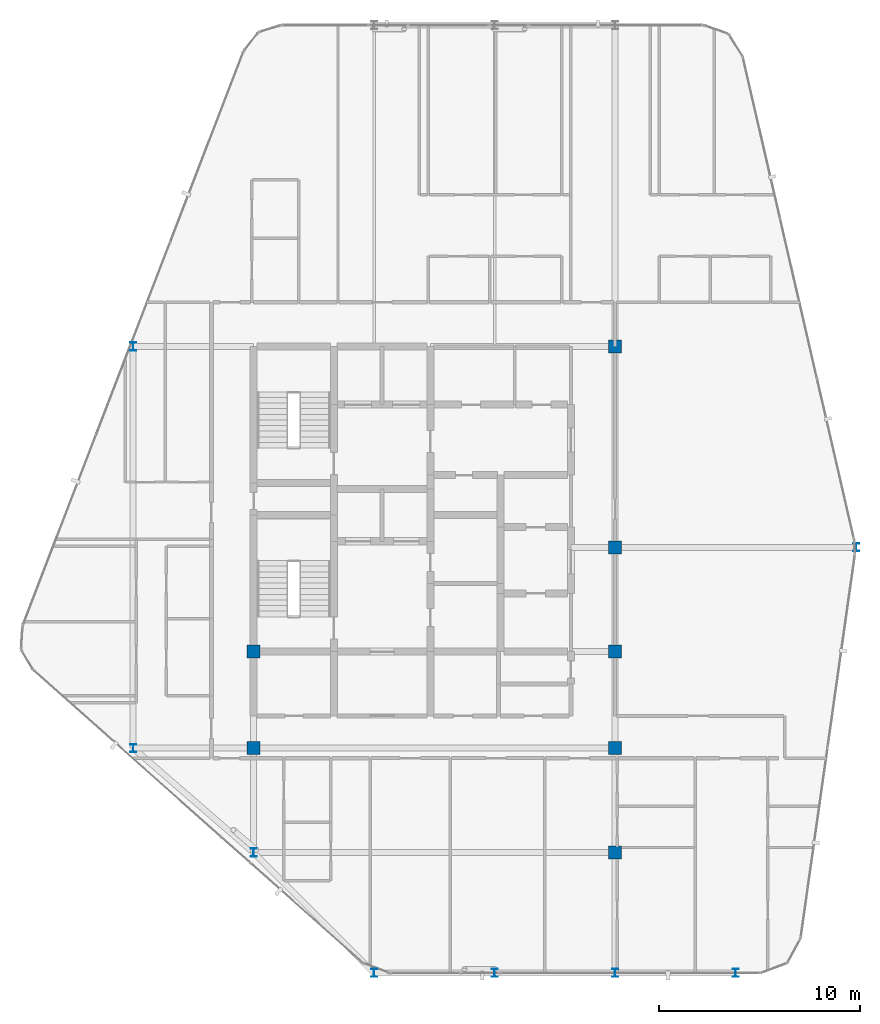
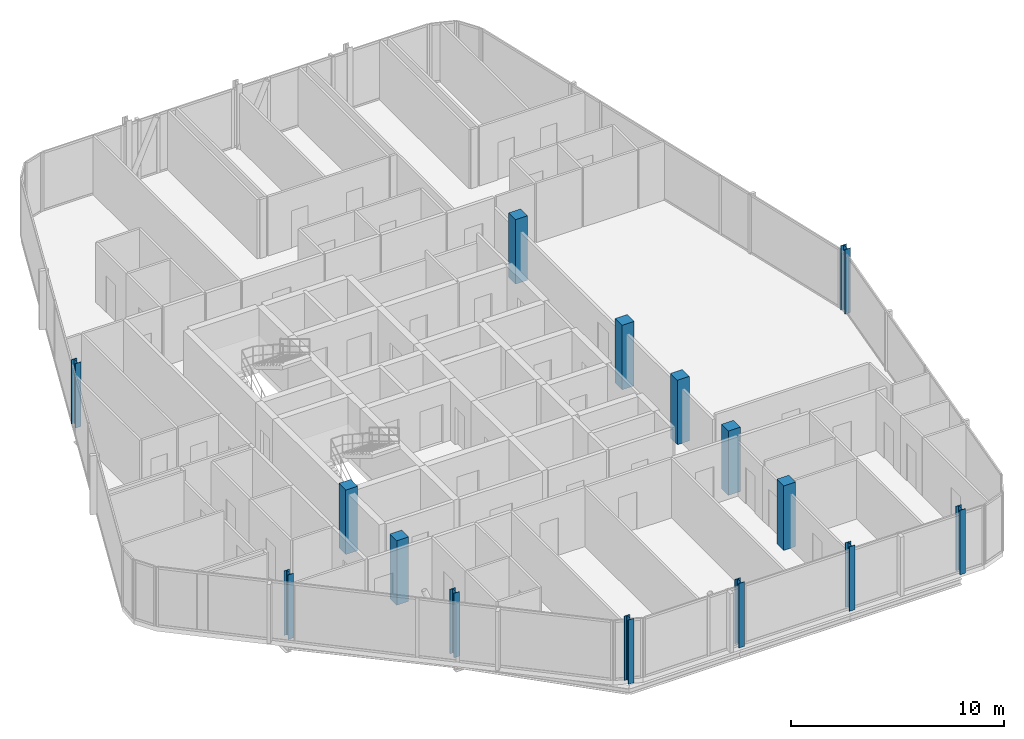
# One storey, part 1 of 27: 15 columns.
"""IFC4 building model written with IfcOpenShell, lengths in metres."""

from ifc_helpers import new_model, si_unit, direction, frame, origin, origin_2d, place, context, subcontext, project, spatial, rectangle, i_section, extrude, material, material_profile, profile_set, type_object, element, save


model = new_model("IFC4")

# Units and contexts
model_context = context("Model", 3, precision=1e-05, world=origin(), true_north=direction((0.0, 1.0)))
body_context = subcontext(model_context, "Body", "Model", "MODEL_VIEW")
ifc_project = project(units=[si_unit("LENGTHUNIT", "METRE"), si_unit("AREAUNIT", "SQUARE_METRE"), si_unit("VOLUMEUNIT", "CUBIC_METRE"), si_unit("PLANEANGLEUNIT", "RADIAN"), si_unit("MASSUNIT", "GRAM", prefix="KILO")], contexts=[model_context])

# Site, building, storey
site_placement = place(None, origin())
site = spatial("IfcSite", under=ifc_project, at=site_placement, CompositionType="ELEMENT")
building_placement = place(site_placement, origin())
building = spatial("IfcBuilding", under=site, at=building_placement, Name="Keshet Zoharim Tower", CompositionType="ELEMENT")
storey_placement = place(building_placement, frame((0.0, 0.0, 288.0)))
storey = spatial("IfcBuildingStorey", under=building, at=storey_placement, Name="L72", CompositionType="ELEMENT", Elevation=288.0)

# Columns
ifc_material_1 = material(Name="Steel S355", Category="steel")
ifc_material_profile_1 = material_profile(ifc_material_1, i_section(OverallWidth=0.300048828125, OverallDepth=0.39990234375, WebThickness=0.013427734375, FlangeThickness=0.02392578125, FilletRadius=0.027099609375, at=origin_2d()), Name="HEB400")
ifc_profile_set_1 = profile_set([ifc_material_profile_1], Name="Steel S355")
column_type_1 = type_object("IfcColumnType", Name="COL-HEB400", PredefinedType="COLUMN", material=ifc_profile_set_1)
for number, where, z_axis, x_axis, name in (
    (1, (9.0, 17.89990234375, 0.0), (0.0, 0.0, 1.0), (1.0, 0.0, 0.0), "L72 Column 2D"),
    (2, (9.0, 37.89990234375, 0.0), (0.0, 0.0, 1.0), (1.0, 0.0, 0.0), "L72 Column 2H"),
    (3, (15.0, 12.699951171875, 0.0), (0.0, 0.0, 1.0), (1.0, 0.0, 0.0), "L72 Column 3C"),
    (4, (21.0, 6.699951171875, 0.0), (0.0, 0.0, 1.0), (1.0, 0.0, 0.0), "L72 Column 4B"),
    (5, (27.0, 6.699951171875, 0.0), (0.0, 0.0, 1.0), (1.0, 0.0, 0.0), "L72 Column 5B"),
    (6, (33.0, 6.699951171875, 0.0), (0.0, 0.0, 1.0), (1.0, 0.0, 0.0), "L72 Column 6B"),
    (7, (39.0, 6.699951171875, 0.0), (0.0, 0.0, 1.0), (1.0, 0.0, 0.0), "L72 Column 7B"),
    (8, (45.0, 27.89990234375, 0.0), (0.0, 0.0, 1.0), (1.0, 0.0, 0.0), "L72 Column 8F"),
):
    element("IfcColumn", number, at=place(storey_placement, frame(where, z_axis=z_axis, x_axis=x_axis)), inside=storey, type_object=column_type_1, Name=name, PredefinedType="COLUMN", context=body_context, shape_type="SweptSolid", body=[
        extrude(i_section(OverallWidth=0.300048828125, OverallDepth=0.39990234375, WebThickness=0.013427734375, FlangeThickness=0.02392578125, FilletRadius=0.027099609375, at=origin_2d()), origin(), (0.0, 0.0, 1.0), 3.699951171875),
    ])
ifc_material_2 = material(Name="Concrete C50/60", Category="concrete")
ifc_material_profile_2 = material_profile(ifc_material_2, rectangle(XDim=0.64990234375, YDim=0.64990234375, at=origin_2d()), Name="RC650x650")
ifc_profile_set_2 = profile_set([ifc_material_profile_2], Name="Concrete C50/60")
column_type_2 = type_object("IfcColumnType", Name="COL-RC650", PredefinedType="COLUMN", material=ifc_profile_set_2)
for number, where, z_axis, x_axis, name in (
    (9, (15.0, 17.89990234375, 0.0), (0.0, 0.0, 1.0), (1.0, 0.0, 0.0), "L72 Column 3D"),
    (10, (15.0, 22.699951171875, 0.0), (0.0, 0.0, 1.0), (1.0, 0.0, 0.0), "L72 Column 3E"),
    (11, (33.0, 12.699951171875, 0.0), (0.0, 0.0, 1.0), (1.0, 0.0, 0.0), "L72 Column 6C"),
    (12, (33.0, 17.89990234375, 0.0), (0.0, 0.0, 1.0), (1.0, 0.0, 0.0), "L72 Column 6D"),
    (13, (33.0, 22.699951171875, 0.0), (0.0, 0.0, 1.0), (1.0, 0.0, 0.0), "L72 Column 6E"),
    (14, (33.0, 27.89990234375, 0.0), (0.0, 0.0, 1.0), (1.0, 0.0, 0.0), "L72 Column 6F"),
    (15, (33.0, 37.89990234375, 0.0), (0.0, 0.0, 1.0), (1.0, 0.0, 0.0), "L72 Column 6H"),
):
    element("IfcColumn", number, at=place(storey_placement, frame(where, z_axis=z_axis, x_axis=x_axis)), inside=storey, type_object=column_type_2, Name=name, PredefinedType="COLUMN", context=body_context, shape_type="SweptSolid", body=[
        extrude(rectangle(XDim=0.64990234375, YDim=0.64990234375, at=origin_2d()), origin(), (0.0, 0.0, 1.0), 3.699951171875),
    ])

save(model, "model.ifc")
